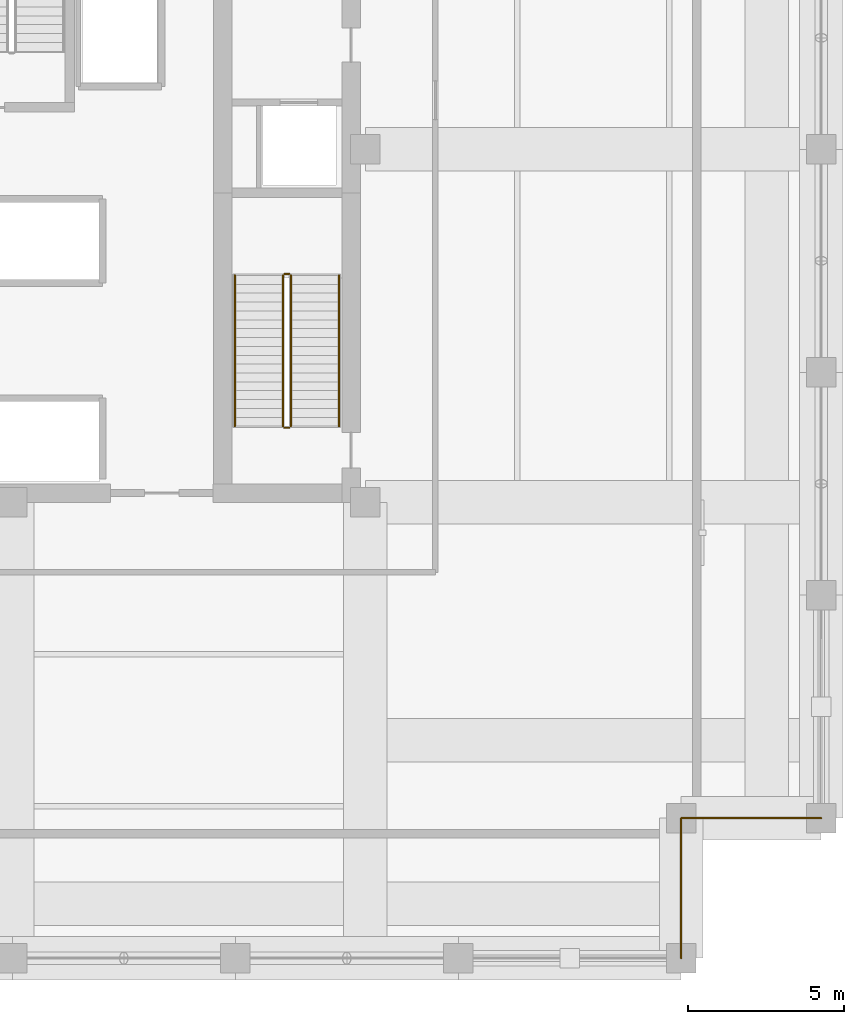
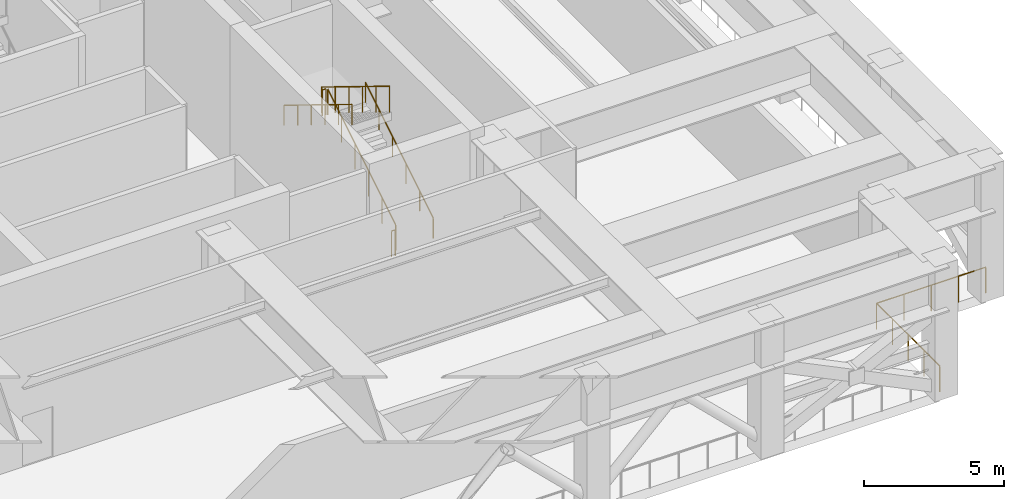
# One storey, part 9 of 12: 8 railings.
"""IFC4 building model written with IfcOpenShell, lengths in metres."""

from ifc_helpers import new_model, si_unit, direction, frame, origin, origin_2d, place, context, subcontext, project, spatial, circle, extrude, material, type_object, element, save


model = new_model("IFC4")

# Units and contexts
model_context = context("Model", 3, precision=1e-05, world=origin(), true_north=direction((0.0, 1.0)))
body_context = subcontext(model_context, "Body", "Model", "MODEL_VIEW")
ifc_project = project(units=[si_unit("LENGTHUNIT", "METRE"), si_unit("AREAUNIT", "SQUARE_METRE"), si_unit("VOLUMEUNIT", "CUBIC_METRE"), si_unit("PLANEANGLEUNIT", "RADIAN"), si_unit("MASSUNIT", "GRAM", prefix="KILO")], contexts=[model_context])

# Site, building, storey
site_placement = place(None, origin())
site = spatial("IfcSite", under=ifc_project, at=site_placement, CompositionType="ELEMENT")
building_placement = place(site_placement, origin())
building = spatial("IfcBuilding", under=site, at=building_placement, Name="Nhamokura Convention Tower", CompositionType="ELEMENT")
storey_placement = place(building_placement, frame((0.0, 0.0, 176.050048828125)))
storey = spatial("IfcBuildingStorey", under=building, at=storey_placement, Name="L43", CompositionType="ELEMENT", Elevation=176.050048828125)

# Railings
ifc_material_1 = material(Name="Anodised bronze stainless steel", Category="steel")
railing_type_1 = type_object("IfcRailingType", Name="StairWallHandrail_900", PredefinedType="HANDRAIL", material=ifc_material_1)
railing_1_placement = place(storey_placement, frame((42.5, 23.10009765625, 0.175048828125)))
element("IfcRailing", 1, at=railing_1_placement, inside=storey, type_object=railing_type_1, Name="L43 ST-02 stair handrail 1", PredefinedType="HANDRAIL", context=body_context, shape_type="SweptSolid", body=[
    extrude(circle(Radius=0.02392578125, at=origin_2d()), frame((0.0, 0.0, 0.8759765625), z_axis=(0.0, 0.852181303558, 0.523246620502), x_axis=(-1.0, 0.0, 0.0)), (0.0, 0.0, 1.0), 5.685302734375),
    extrude(circle(Radius=0.02099609375, at=origin_2d()), origin(), (0.0, 0.0, 1.0), 0.851806640625),
    extrude(circle(Radius=0.02099609375, at=origin_2d()), frame((0.0, 0.968994140625, 0.594970703125)), (0.0, 0.0, 1.0), 0.851806640625),
    extrude(circle(Radius=0.02099609375, at=origin_2d()), frame((0.0, 1.93798828125, 1.18994140625)), (0.0, 0.0, 1.0), 0.851806640625),
    extrude(circle(Radius=0.02099609375, at=origin_2d()), frame((0.0, 2.906982421875, 1.784912109375)), (0.0, 0.0, 1.0), 0.851806640625),
    extrude(circle(Radius=0.02099609375, at=origin_2d()), frame((0.0, 3.8759765625, 2.3798828125)), (0.0, 0.0, 1.0), 0.851806640625),
    extrude(circle(Radius=0.02099609375, at=origin_2d()), frame((0.0, 4.844970703125, 2.974853515625)), (0.0, 0.0, 1.0), 0.851806640625),
])
railing_2_placement = place(storey_placement, frame((39.14990234375, 27.945068359375, 3.324951171875)))
element("IfcRailing", 2, at=railing_2_placement, inside=storey, type_object=railing_type_1, Name="L43 ST-02 stair handrail 2", PredefinedType="HANDRAIL", context=body_context, shape_type="SweptSolid", body=[
    extrude(circle(Radius=0.02392578125, at=origin_2d()), frame((0.0, 0.0, 0.8759765625), z_axis=(0.0, -0.852162155598, 0.52327780439), x_axis=(1.0, 0.0, 0.0)), (0.0, 0.0, 1.0), 5.685546875),
    extrude(circle(Radius=0.02099609375, at=origin_2d()), origin(), (0.0, 0.0, 1.0), 0.851806640625),
    extrude(circle(Radius=0.02099609375, at=origin_2d()), frame((0.0, -0.968994140625, 0.594970703125)), (0.0, 0.0, 1.0), 0.851806640625),
    extrude(circle(Radius=0.02099609375, at=origin_2d()), frame((0.0, -1.93798828125, 1.18994140625)), (0.0, 0.0, 1.0), 0.851806640625),
    extrude(circle(Radius=0.02099609375, at=origin_2d()), frame((0.0, -2.906982421875, 1.78515625)), (0.0, 0.0, 1.0), 0.851806640625),
    extrude(circle(Radius=0.02099609375, at=origin_2d()), frame((0.0, -3.8759765625, 2.380126953125)), (0.0, 0.0, 1.0), 0.851806640625),
    extrude(circle(Radius=0.02099609375, at=origin_2d()), frame((0.0, -4.844970703125, 2.97509765625)), (0.0, 0.0, 1.0), 0.851806640625),
])
ifc_material_2 = material(Name="Painted tubular steel", Category="steel")
railing_type_2 = type_object("IfcRailingType", Name="StairWellGuardrail_1150", PredefinedType="GUARDRAIL", material=ifc_material_2)
railing_3_placement = place(storey_placement, frame((40.949951171875, 23.10009765625, 0.175048828125)))
element("IfcRailing", 3, at=railing_3_placement, inside=storey, type_object=railing_type_2, Name="L43 ST-02 stair guard 1", PredefinedType="GUARDRAIL", context=body_context, shape_type="SweptSolid", body=[
    extrude(circle(Radius=0.02392578125, at=origin_2d()), frame((0.0, 0.0, 1.1259765625), z_axis=(0.0, 0.852181303558, 0.523246620502), x_axis=(-1.0, 0.0, 0.0)), (0.0, 0.0, 1.0), 5.685302734375),
    extrude(circle(Radius=0.02099609375, at=origin_2d()), origin(), (0.0, 0.0, 1.0), 1.101806640625),
    extrude(circle(Radius=0.02099609375, at=origin_2d()), frame((0.0, 0.968994140625, 0.594970703125)), (0.0, 0.0, 1.0), 1.101806640625),
    extrude(circle(Radius=0.02099609375, at=origin_2d()), frame((0.0, 1.93798828125, 1.18994140625)), (0.0, 0.0, 1.0), 1.101806640625),
    extrude(circle(Radius=0.02099609375, at=origin_2d()), frame((0.0, 2.906982421875, 1.784912109375)), (0.0, 0.0, 1.0), 1.101806640625),
    extrude(circle(Radius=0.02099609375, at=origin_2d()), frame((0.0, 3.8759765625, 2.3798828125)), (0.0, 0.0, 1.0), 1.101806640625),
    extrude(circle(Radius=0.02099609375, at=origin_2d()), frame((0.0, 4.844970703125, 2.974853515625)), (0.0, 0.0, 1.0), 1.101806640625),
])
railing_4_placement = place(storey_placement, frame((40.89990234375, 27.9951171875, 3.14990234375)))
element("IfcRailing", 4, at=railing_4_placement, inside=storey, type_object=railing_type_2, Name="L43 ST-02 stair guard 2", PredefinedType="GUARDRAIL", context=body_context, shape_type="SweptSolid", body=[
    extrude(circle(Radius=0.02392578125, at=origin_2d()), frame((0.0, 0.0, 1.1259765625), z_axis=(-1.0, 0.0, 0.0), x_axis=(0.0, -1.0, 0.0)), (0.0, 0.0, 1.0), 0.14990234375),
    extrude(circle(Radius=0.02099609375, at=origin_2d()), origin(), (0.0, 0.0, 1.0), 1.101806640625),
    extrude(circle(Radius=0.02099609375, at=origin_2d()), frame((-0.14990234375, 0.0, 0.0)), (0.0, 0.0, 1.0), 1.101806640625),
])
railing_5_placement = place(storey_placement, frame((40.699951171875, 27.945068359375, 3.324951171875)))
element("IfcRailing", 5, at=railing_5_placement, inside=storey, type_object=railing_type_2, Name="L43 ST-02 stair guard 3", PredefinedType="GUARDRAIL", context=body_context, shape_type="SweptSolid", body=[
    extrude(circle(Radius=0.02392578125, at=origin_2d()), frame((0.0, 0.0, 1.1259765625), z_axis=(0.0, -0.852162155598, 0.52327780439), x_axis=(1.0, 0.0, 0.0)), (0.0, 0.0, 1.0), 5.685546875),
    extrude(circle(Radius=0.02099609375, at=origin_2d()), origin(), (0.0, 0.0, 1.0), 1.101806640625),
    extrude(circle(Radius=0.02099609375, at=origin_2d()), frame((0.0, -0.968994140625, 0.594970703125)), (0.0, 0.0, 1.0), 1.101806640625),
    extrude(circle(Radius=0.02099609375, at=origin_2d()), frame((0.0, -1.93798828125, 1.18994140625)), (0.0, 0.0, 1.0), 1.101806640625),
    extrude(circle(Radius=0.02099609375, at=origin_2d()), frame((0.0, -2.906982421875, 1.78515625)), (0.0, 0.0, 1.0), 1.101806640625),
    extrude(circle(Radius=0.02099609375, at=origin_2d()), frame((0.0, -3.8759765625, 2.380126953125)), (0.0, 0.0, 1.0), 1.101806640625),
    extrude(circle(Radius=0.02099609375, at=origin_2d()), frame((0.0, -4.844970703125, 2.97509765625)), (0.0, 0.0, 1.0), 1.101806640625),
])
railing_6_placement = place(storey_placement, frame((40.89990234375, 23.050048828125, 0.0)))
element("IfcRailing", 6, at=railing_6_placement, inside=storey, type_object=railing_type_2, Name="L43 ST-02 stair guard 4", PredefinedType="GUARDRAIL", context=body_context, shape_type="SweptSolid", body=[
    extrude(circle(Radius=0.02392578125, at=origin_2d()), frame((0.0, 0.0, 1.1259765625), z_axis=(-1.0, 0.0, 0.0), x_axis=(0.0, -1.0, 0.0)), (0.0, 0.0, 1.0), 0.14990234375),
    extrude(circle(Radius=0.02099609375, at=origin_2d()), origin(), (0.0, 0.0, 1.0), 1.101806640625),
    extrude(circle(Radius=0.02099609375, at=origin_2d()), frame((-0.14990234375, 0.0, 0.0)), (0.0, 0.0, 1.0), 1.101806640625),
])
ifc_material_3 = material(Name="Anodised bronze stainless steel", Category="steel")
railing_type_3 = type_object("IfcRailingType", Name="TerraceGuardrail_1150", PredefinedType="GUARDRAIL", material=ifc_material_3)
railing_7_placement = place(storey_placement, frame((53.5, 6.0, 0.0)))
element("IfcRailing", 7, at=railing_7_placement, inside=storey, type_object=railing_type_3, Name="L43 Perimeter Guardrail 02", PredefinedType="GUARDRAIL", context=body_context, shape_type="SweptSolid", body=[
    extrude(circle(Radius=0.02392578125, at=origin_2d()), frame((0.0, 0.0, 1.1259765625), z_axis=(0.0, 1.0, 0.0), x_axis=(-1.0, 0.0, 0.0)), (0.0, 0.0, 1.0), 4.5),
    extrude(circle(Radius=0.02099609375, at=origin_2d()), origin(), (0.0, 0.0, 1.0), 1.101806640625),
    extrude(circle(Radius=0.02099609375, at=origin_2d()), frame((0.0, 1.125, 0.0)), (0.0, 0.0, 1.0), 1.101806640625),
    extrude(circle(Radius=0.02099609375, at=origin_2d()), frame((0.0, 2.25, 0.0)), (0.0, 0.0, 1.0), 1.101806640625),
    extrude(circle(Radius=0.02099609375, at=origin_2d()), frame((0.0, 3.375, 0.0)), (0.0, 0.0, 1.0), 1.101806640625),
    extrude(circle(Radius=0.02099609375, at=origin_2d()), frame((0.0, 4.5, 0.0)), (0.0, 0.0, 1.0), 1.101806640625),
])
railing_8_placement = place(storey_placement, frame((53.5, 10.5, 0.0)))
element("IfcRailing", 8, at=railing_8_placement, inside=storey, type_object=railing_type_3, Name="L43 Perimeter Guardrail 03", PredefinedType="GUARDRAIL", context=body_context, shape_type="SweptSolid", body=[
    extrude(circle(Radius=0.02392578125, at=origin_2d()), frame((0.0, 0.0, 1.1259765625), z_axis=(1.0, 0.0, 0.0), x_axis=(0.0, 1.0, 0.0)), (0.0, 0.0, 1.0), 4.5),
    extrude(circle(Radius=0.02099609375, at=origin_2d()), origin(), (0.0, 0.0, 1.0), 1.101806640625),
    extrude(circle(Radius=0.02099609375, at=origin_2d()), frame((1.125, 0.0, 0.0)), (0.0, 0.0, 1.0), 1.101806640625),
    extrude(circle(Radius=0.02099609375, at=origin_2d()), frame((2.25, 0.0, 0.0)), (0.0, 0.0, 1.0), 1.101806640625),
    extrude(circle(Radius=0.02099609375, at=origin_2d()), frame((3.375, 0.0, 0.0)), (0.0, 0.0, 1.0), 1.101806640625),
    extrude(circle(Radius=0.02099609375, at=origin_2d()), frame((4.5, 0.0, 0.0)), (0.0, 0.0, 1.0), 1.101806640625),
])

save(model, "model.ifc")
